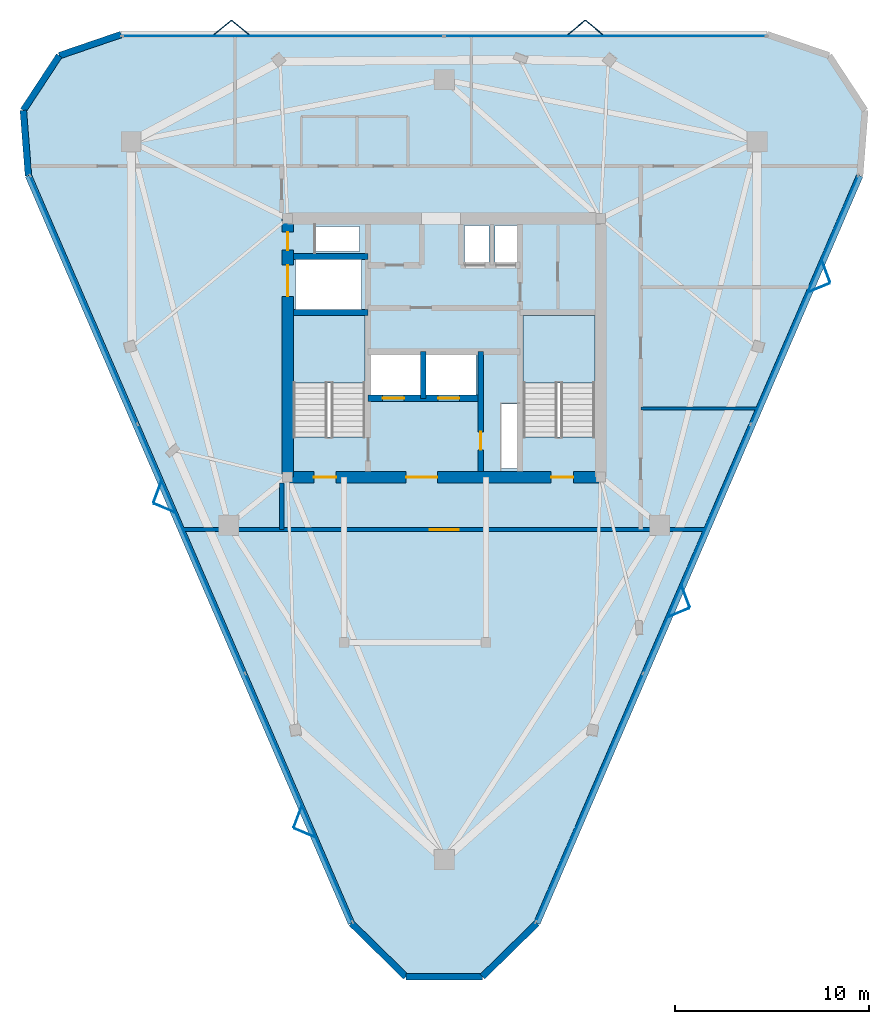
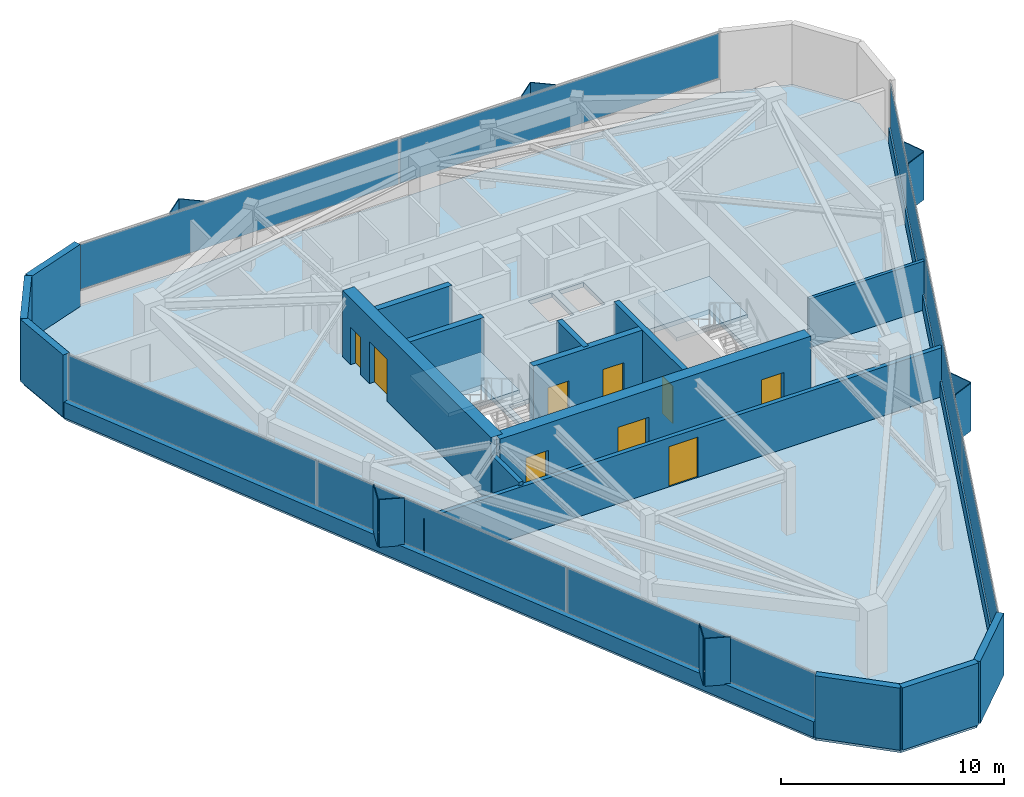
# One storey, part 7 of 10: 20 plates, 18 walls, 9 doors, 3 slabs, 9 openings, 5 elements without a shape of their own.
"""IFC4 building model written with IfcOpenShell, lengths in metres."""

from ifc_helpers import new_model, si_unit, direction, frame, frame_2d, origin, origin_2d, place, context, subcontext, project, spatial, polyline, rectangle, outline, extrude, material, layer, layer_set, type_object, element, fill, aggregate, save


model = new_model("IFC4")

# Units and contexts
model_context = context("Model", 3, precision=1e-05, world=origin(), true_north=direction((0.0, 1.0)))
body_context = subcontext(model_context, "Body", "Model", "MODEL_VIEW")
ifc_project = project(units=[si_unit("LENGTHUNIT", "METRE"), si_unit("AREAUNIT", "SQUARE_METRE"), si_unit("VOLUMEUNIT", "CUBIC_METRE"), si_unit("PLANEANGLEUNIT", "RADIAN"), si_unit("MASSUNIT", "GRAM", prefix="KILO")], contexts=[model_context])

# Site, building, storey
site_placement = place(None, origin())
site = spatial("IfcSite", under=ifc_project, at=site_placement, CompositionType="ELEMENT")
building_placement = place(site_placement, origin())
building = spatial("IfcBuilding", under=site, at=building_placement, Name="Talyreon Biosciences Tower", CompositionType="ELEMENT")
storey_placement = place(building_placement, frame((0.0, 0.0, 287.449951171875)))
storey = spatial("IfcBuildingStorey", under=building, at=storey_placement, Name="L76", CompositionType="ELEMENT", Elevation=287.449951171875)

# Curtain wall, plates
ifc_material_1 = material(Name="Thermally broken aluminium and low-E glazing", Category="aluminium")
ifc_layer_1 = layer(ifc_material_1, 0.175048828125)
ifc_layer_set_1 = layer_set([ifc_layer_1], Name="Thermally broken aluminium and low-E glazing")
curtain_wall_type = type_object("IfcCurtainWallType", Name="CurtainWall_Zone5CompLab", PredefinedType="NOTDEFINED", material=ifc_layer_set_1)
curtain_wall_1_placement = place(storey_placement, origin())
curtain_wall_1 = element("IfcCurtainWall", 1, at=curtain_wall_1_placement, inside=storey, type_object=curtain_wall_type, Name="L76 Unitised Curtain Wall FCW-L76-00", PredefinedType="NOTDEFINED")
ifc_material_2 = material(Name="Triple-silver low-E insulated glazing", Category="glass")
ifc_layer_2 = layer(ifc_material_2, 0.031982421875)
ifc_layer_set_2 = layer_set([ifc_layer_2], Name="Triple-silver low-E insulated glazing")
plate_type_1 = type_object("IfcPlateType", Name="CWGlazingPanel_32", PredefinedType="CURTAIN_PANEL", material=ifc_layer_set_2)
plate_1_placement = place(storey_placement, frame((58.525390625, 44.86083984375, 0.875), z_axis=(0.0, 0.0, 1.0), x_axis=(-0.396528446404, 0.918022435016, 0.0)))
plate_1 = element("IfcPlate", 2, at=plate_1_placement, type_object=plate_type_1, Name="CW6 panel 1.1", PredefinedType="CURTAIN_PANEL", context=body_context, shape_type="SweptSolid", body=[
    extrude(rectangle(XDim=13.863525390625, YDim=0.031982421875, at=origin_2d()), origin(), (0.0, 0.0, 1.0), 2.4599609375),
])
plate_2_placement = place(storey_placement, frame((52.995849609375, 57.662353515625, 0.875), z_axis=(0.0, 0.0, 1.0), x_axis=(-0.396528446404, 0.918022435016, 0.0)))
plate_2 = element("IfcPlate", 3, at=plate_2_placement, type_object=plate_type_1, Name="CW6 panel 2.1", PredefinedType="CURTAIN_PANEL", context=body_context, shape_type="SweptSolid", body=[
    extrude(rectangle(XDim=13.89599609375, YDim=0.031982421875, at=origin_2d()), origin(), (0.0, 0.0, 1.0), 2.4599609375),
])
plate_3_placement = place(storey_placement, frame((47.46630859375, 70.4638671875, 0.875), z_axis=(0.0, 0.0, 1.0), x_axis=(-0.396528446404, 0.918022435016, 0.0)))
plate_3 = element("IfcPlate", 4, at=plate_3_placement, type_object=plate_type_1, Name="CW6 panel 3.1", PredefinedType="CURTAIN_PANEL", context=body_context, shape_type="SweptSolid", body=[
    extrude(rectangle(XDim=13.863525390625, YDim=0.031982421875, at=origin_2d()), origin(), (0.0, 0.0, 1.0), 2.4599609375),
])
aggregate(curtain_wall_1, [plate_1, plate_2, plate_3])

curtain_wall_2_placement = place(storey_placement, origin())
curtain_wall_2 = element("IfcCurtainWall", 5, at=curtain_wall_2_placement, inside=storey, type_object=curtain_wall_type, Name="L76 Unitised Curtain Wall FCW-L76-04", PredefinedType="NOTDEFINED")
plate_4_placement = place(storey_placement, frame((57.71240234375, 84.037109375, 0.875), z_axis=(0.0, 0.0, 1.0), x_axis=(1.0, 0.0, 0.0)))
plate_4 = element("IfcPlate", 6, at=plate_4_placement, type_object=plate_type_1, Name="CW6 panel 1.1", PredefinedType="CURTAIN_PANEL", context=body_context, shape_type="SweptSolid", body=[
    extrude(rectangle(XDim=16.51025390625, YDim=0.031982421875, at=origin_2d()), origin(), (0.0, 0.0, 1.0), 2.4599609375),
])
plate_5_placement = place(storey_placement, frame((74.28759765625, 84.037109375, 0.875), z_axis=(0.0, 0.0, 1.0), x_axis=(1.0, 0.0, 0.0)))
plate_5 = element("IfcPlate", 7, at=plate_5_placement, type_object=plate_type_1, Name="CW6 panel 2.1", PredefinedType="CURTAIN_PANEL", context=body_context, shape_type="SweptSolid", body=[
    extrude(rectangle(XDim=16.51025390625, YDim=0.031982421875, at=origin_2d()), origin(), (0.0, 0.0, 1.0), 2.4599609375),
])
aggregate(curtain_wall_2, [plate_4, plate_5])

curtain_wall_3_placement = place(storey_placement, origin())
curtain_wall_3 = element("IfcCurtainWall", 8, at=curtain_wall_3_placement, inside=storey, type_object=curtain_wall_type, Name="L76 Unitised Curtain Wall FCW-L76-08", PredefinedType="NOTDEFINED")
plate_6_placement = place(storey_placement, frame((84.53369140625, 70.4638671875, 0.875), z_axis=(0.0, 0.0, 1.0), x_axis=(-0.396528446404, -0.918022435016, 0.0)))
plate_6 = element("IfcPlate", 9, at=plate_6_placement, type_object=plate_type_1, Name="CW6 panel 1.1", PredefinedType="CURTAIN_PANEL", context=body_context, shape_type="SweptSolid", body=[
    extrude(rectangle(XDim=13.863525390625, YDim=0.031982421875, at=origin_2d()), origin(), (0.0, 0.0, 1.0), 2.4599609375),
])
plate_7_placement = place(storey_placement, frame((79.004150390625, 57.662353515625, 0.875), z_axis=(0.0, 0.0, 1.0), x_axis=(-0.396528446404, -0.918022435016, 0.0)))
plate_7 = element("IfcPlate", 10, at=plate_7_placement, type_object=plate_type_1, Name="CW6 panel 2.1", PredefinedType="CURTAIN_PANEL", context=body_context, shape_type="SweptSolid", body=[
    extrude(rectangle(XDim=13.89599609375, YDim=0.031982421875, at=origin_2d()), origin(), (0.0, 0.0, 1.0), 2.4599609375),
])
plate_8_placement = place(storey_placement, frame((73.474609375, 44.86083984375, 0.875), z_axis=(0.0, 0.0, 1.0), x_axis=(-0.396528446404, -0.918022435016, 0.0)))
plate_8 = element("IfcPlate", 11, at=plate_8_placement, type_object=plate_type_1, Name="CW6 panel 3.1", PredefinedType="CURTAIN_PANEL", context=body_context, shape_type="SweptSolid", body=[
    extrude(rectangle(XDim=13.863525390625, YDim=0.031982421875, at=origin_2d()), origin(), (0.0, 0.0, 1.0), 2.4599609375),
])
aggregate(curtain_wall_3, [plate_6, plate_7, plate_8])

# Slab
ifc_material_3 = material(Name="Concrete C40/50", Category="concrete")
ifc_layer_3 = layer(ifc_material_3, 0.25)
ifc_layer_set_3 = layer_set([ifc_layer_3], Name="Concrete C40/50")
slab_type_1 = type_object("IfcSlabType", Name="DryLabFloorSlab_250", PredefinedType="FLOOR", material=ifc_layer_set_3)
slab_1_placement = place(storey_placement, frame((0.0, 0.0, -0.25)))
element("IfcSlab", 12, at=slab_1_placement, inside=storey, type_object=slab_type_1, Name="L76 Structural Floor Slab", PredefinedType="FLOOR", context=body_context, shape_type="SweptSolid", body=[
    extrude(outline(polyline([(61.226318359375, 38.406005859375), (44.61865234375, 76.855224609375), (44.356201171875, 80.212646484375), (46.2060546875, 83.02685546875), (49.392333984375, 84.1171875), (82.607666015625, 84.1171875), (85.7939453125, 83.02685546875), (87.643798828125, 80.212646484375), (87.38134765625, 76.855224609375), (70.773681640625, 38.406005859375), (67.9658203125, 35.65380859375), (64.0341796875, 35.65380859375), (61.226318359375, 38.406005859375)]), holes=[polyline([(69.820068359375, 65.10009765625), (69.820068359375, 61.800048828125), (68.9599609375, 61.800048828125), (68.9599609375, 65.10009765625), (69.820068359375, 65.10009765625)]), polyline([(61.929931640625, 69.64990234375), (61.929931640625, 63.407958984375), (58.25, 63.407958984375), (58.25, 69.64990234375), (61.929931640625, 69.64990234375)]), polyline([(73.75, 69.64990234375), (73.75, 63.407958984375), (70.070068359375, 63.407958984375), (70.070068359375, 69.64990234375), (73.75, 69.64990234375)]), polyline([(64.800048828125, 67.64990234375), (64.800048828125, 65.550048828125), (62.199951171875, 65.550048828125), (62.199951171875, 67.64990234375), (64.800048828125, 67.64990234375)]), polyline([(67.64990234375, 67.64990234375), (67.64990234375, 65.550048828125), (65.050048828125, 65.550048828125), (65.050048828125, 67.64990234375), (67.64990234375, 67.64990234375)]), polyline([(61.75, 72.550048828125), (61.75, 69.97998046875), (58.35009765625, 69.97998046875), (58.35009765625, 72.550048828125), (61.75, 72.550048828125)]), polyline([(68.300048828125, 74.300048828125), (68.300048828125, 72.35009765625), (67.050048828125, 72.35009765625), (67.050048828125, 74.300048828125), (68.300048828125, 74.300048828125)]), polyline([(69.919921875, 72.35009765625), (68.6201171875, 72.35009765625), (68.6201171875, 74.300048828125), (69.919921875, 74.300048828125), (69.919921875, 72.35009765625)]), polyline([(61.64990234375, 72.9599609375), (59.39990234375, 72.9599609375), (59.39990234375, 74.25), (61.64990234375, 74.25), (61.64990234375, 72.9599609375)])]), origin(), (0.0, 0.0, 1.0), 0.25),
])

# Plates
ifc_material_4 = material(Name="Ivory GFRC sunshade panel", Category="concrete")
ifc_layer_4 = layer(ifc_material_4, 0.044921875)
ifc_layer_set_4 = layer_set([ifc_layer_4], Name="Ivory GFRC sunshade panel")
plate_type_2 = type_object("IfcPlateType", Name="FoldedVSunshade_NorthFace_SUNSHADE", PredefinedType="USERDEFINED", material=ifc_layer_set_4)
for number, where, z_axis, x_axis, name in (
    (13, (54.6123046875, 84.477294921875, 0.7900390625), (0.0, 0.0, 1.0), (0.771624583388, 0.636078220278, 0.0), "L76 Folded V-Sunshade Panel 04.01L"),
    (14, (55.51220703125, 84.477294921875, 0.7900390625), (0.0, 0.0, 1.0), (0.771624583388, -0.636078220278, 0.0), "L76 Folded V-Sunshade Panel 04.01R"),
    (15, (72.812255859375, 84.477294921875, 0.7900390625), (0.0, 0.0, 1.0), (0.771624583388, 0.636078220278, 0.0), "L76 Folded V-Sunshade Panel 04.02L"),
    (16, (73.71240234375, 84.477294921875, 0.7900390625), (0.0, 0.0, 1.0), (0.771624583388, -0.636078220278, 0.0), "L76 Folded V-Sunshade Panel 04.02R"),
):
    element("IfcPlate", number, at=place(storey_placement, frame(where, z_axis=z_axis, x_axis=x_axis)), inside=storey, type_object=plate_type_2, Name=name, ObjectType="SUNSHADE", PredefinedType="USERDEFINED", context=body_context, shape_type="SweptSolid", body=[
        extrude(rectangle(XDim=1.14990234375, YDim=0.044921875, at=origin_2d()), origin(), (0.0, 0.0, 1.0), 2.610107421875),
    ])
ifc_layer_5 = layer(ifc_material_4, 0.044921875)
ifc_layer_set_5 = layer_set([ifc_layer_5], Name="Ivory GFRC sunshade panel")
plate_type_3 = type_object("IfcPlateType", Name="FoldedVSunshade_SunFace_SUNSHADE", PredefinedType="USERDEFINED", material=ifc_layer_set_5)
for number, where, z_axis, x_axis, name in (
    (17, (58.825927734375, 43.055419921875, 0.7900390625), (0.0, 0.0, 1.0), (-0.922948421732, 0.384923642846, 0.0), "L76 Folded V-Sunshade Panel 00.01L"),
    (18, (58.468994140625, 43.881591796875, 0.7900390625), (0.0, 0.0, 1.0), (0.352478722362, 0.935819827895, 0.0), "L76 Folded V-Sunshade Panel 00.01R"),
    (19, (51.609130859375, 59.76318359375, 0.7900390625), (0.0, 0.0, 1.0), (-0.922948421732, 0.384923642846, 0.0), "L76 Folded V-Sunshade Panel 00.02L"),
    (20, (51.252197265625, 60.589599609375, 0.7900390625), (0.0, 0.0, 1.0), (0.352478722362, 0.935819827895, 0.0), "L76 Folded V-Sunshade Panel 00.02R"),
    (21, (85.64208984375, 71.92041015625, 0.7900390625), (0.0, 0.0, 1.0), (0.352478722362, -0.935819827895, 0.0), "L76 Folded V-Sunshade Panel 08.01L"),
    (22, (85.28515625, 71.09423828125, 0.7900390625), (0.0, 0.0, 1.0), (-0.922948421732, -0.384923642846, 0.0), "L76 Folded V-Sunshade Panel 08.01R"),
    (23, (78.42529296875, 55.21240234375, 0.7900390625), (0.0, 0.0, 1.0), (0.352478722362, -0.935819827895, 0.0), "L76 Folded V-Sunshade Panel 08.02L"),
    (24, (78.068359375, 54.38623046875, 0.7900390625), (0.0, 0.0, 1.0), (-0.922948421732, -0.384923642846, 0.0), "L76 Folded V-Sunshade Panel 08.02R"),
):
    element("IfcPlate", number, at=place(storey_placement, frame(where, z_axis=z_axis, x_axis=x_axis)), inside=storey, type_object=plate_type_3, Name=name, ObjectType="SUNSHADE", PredefinedType="USERDEFINED", context=body_context, shape_type="SweptSolid", body=[
        extrude(rectangle(XDim=1.14990234375, YDim=0.044921875, at=origin_2d()), origin(), (0.0, 0.0, 1.0), 2.610107421875),
    ])

# Stair, slab
stair_type = type_object("IfcStairType", Name="DoglegEscapeStair_3650", PredefinedType="HALF_TURN_STAIR", material=ifc_material_3)
stair_1_placement = place(storey_placement, origin())
stair_1 = element("IfcStair", 25, at=stair_1_placement, inside=storey, type_object=stair_type, Name="L76 Core Escape Stair 1", PredefinedType="HALF_TURN_STAIR")
ifc_layer_6 = layer(ifc_material_3, 0.199951171875)
ifc_layer_set_6 = layer_set([ifc_layer_6], Name="Concrete C40/50")
slab_type_2 = type_object("IfcSlabType", Name="StairLandingSlab_200", PredefinedType="LANDING", material=ifc_layer_set_6)
slab_2_placement = place(storey_placement, frame((0.0, 0.0, 1.625)))
slab_2 = element("IfcSlab", 26, at=slab_2_placement, type_object=slab_type_2, Name="ST-1 landing 1", PredefinedType="LANDING", context=body_context, shape_type="SweptSolid", body=[
    extrude(outline(polyline([(61.929931640625, 66.199951171875), (61.929931640625, 69.64990234375), (58.25, 69.64990234375), (58.25, 66.199951171875), (61.929931640625, 66.199951171875)])), origin(), (0.0, 0.0, 1.0), 0.199951171875),
])
aggregate(stair_1, [slab_2])

stair_2_placement = place(storey_placement, origin())
stair_2 = element("IfcStair", 27, at=stair_2_placement, inside=storey, type_object=stair_type, Name="L76 Core Escape Stair 2", PredefinedType="HALF_TURN_STAIR")
slab_3_placement = place(storey_placement, frame((0.0, 0.0, 1.625)))
slab_3 = element("IfcSlab", 28, at=slab_3_placement, type_object=slab_type_2, Name="ST-2 landing 1", PredefinedType="LANDING", context=body_context, shape_type="SweptSolid", body=[
    extrude(outline(polyline([(73.75, 66.199951171875), (73.75, 69.64990234375), (70.070068359375, 69.64990234375), (70.070068359375, 66.199951171875), (73.75, 66.199951171875)])), origin(), (0.0, 0.0, 1.0), 0.199951171875),
])
aggregate(stair_2, [slab_3])

# Wall
ifc_material_5 = material(Name="Concrete C50/60", Category="concrete")
ifc_layer_7 = layer(ifc_material_5, 0.280029296875)
ifc_layer_set_7 = layer_set([ifc_layer_7], Name="Concrete C50/60")
wall_type_1 = type_object("IfcWallType", Name="CoreShearWall_280", PredefinedType="SHEAR", material=ifc_layer_set_7)
wall_1_placement = place(storey_placement, frame((64.919921875, 65.39990234375, 0.0), z_axis=(0.0, 0.0, 1.0), x_axis=(0.0, 1.0, 0.0)))
element("IfcWall", 29, at=wall_1_placement, inside=storey, type_object=wall_type_1, Name="L76 Core Shaft Wall SWSHD1", PredefinedType="SHEAR", context=body_context, shape_type="SweptSolid", body=[
    extrude(rectangle(XDim=2.400146484375, YDim=0.280029296875, at=frame_2d((1.2001953125, 0.0))), origin(), (0.0, 0.0, 1.0), 3.650146484375),
])

# Wall, opening, door
wall_2_placement = place(storey_placement, frame((67.8798828125, 61.64990234375, 0.0), z_axis=(0.0, 0.0, 1.0), x_axis=(0.0, 1.0, 0.0)))
wall_2 = element("IfcWall", 30, at=wall_2_placement, inside=storey, type_object=wall_type_1, Name="L76 Core Shaft Wall SWFFE", PredefinedType="SHEAR", context=body_context, shape_type="SweptSolid", body=[
    extrude(rectangle(XDim=6.150146484375, YDim=0.280029296875, at=frame_2d((3.0751953125, 0.0))), origin(), (0.0, 0.0, 1.0), 3.650146484375),
])
opening_1_placement = place(wall_2_placement, frame((1.10009765625, 0.0, 0.0)))
opening_1 = element("IfcOpeningElement", 31, at=opening_1_placement, cuts=wall_2, Name="Opening DR-L76-RSE", PredefinedType="OPENING", context=body_context, shape_type="SweptSolid", body=[
    extrude(rectangle(XDim=0.919921875, YDim=2.050048828125, at=frame_2d((0.4599609375, 1.02490234375))), frame((0.0, 0.14990234375, 0.0), z_axis=(0.0, -1.0, 0.0), x_axis=(1.0, 0.0, 0.0)), (0.0, 0.0, 1.0), 0.300048828125),
])
ifc_material_6 = material(Name="Painted steel fire-rated riser door", Category="steel")
door_type_1 = type_object("IfcDoorType", Name="RiserPlantAccessDoor_920x2050", OperationType="NOTDEFINED", PredefinedType="DOOR", material=ifc_material_6)
door_1_placement = place(opening_1_placement, origin())
door_1 = element("IfcDoor", 32, at=door_1_placement, inside=storey, type_object=door_type_1, Name="L76 Core Door DR-L76-RSE", OperationType="SINGLE_SWING_RIGHT", OverallHeight=2.050048828125, OverallWidth=0.919921875, PredefinedType="DOOR", context=body_context, shape_type="SweptSolid", body=[
    extrude(rectangle(XDim=0.919921875, YDim=2.050048828125, at=frame_2d((0.4599609375, 1.02490234375))), frame((0.0, 0.02490234375, 0.0), z_axis=(0.0, -1.0, 0.0), x_axis=(1.0, 0.0, 0.0)), (0.0, 0.0, 1.0), 0.050048828125),
])
fill(opening_1, door_1)

# Walls
ifc_layer_8 = layer(ifc_material_5, 0.320068359375)
ifc_layer_set_8 = layer_set([ifc_layer_8], Name="Concrete C50/60")
wall_type_2 = type_object("IfcWallType", Name="CoreShearWall_320", PredefinedType="SHEAR", material=ifc_layer_set_8)
for number, where, z_axis, x_axis, name in (
    (33, (58.25, 69.81005859375, 0.0), (0.0, 0.0, 1.0), (1.0, 0.0, 0.0), "L76 Core Shaft Wall SW1N"),
    (34, (58.25, 72.699951171875, 0.0), (0.0, 0.0, 1.0), (1.0, 0.0, 0.0), "L76 Core Shaft Wall SWGLN"),
):
    element("IfcWall", number, at=place(storey_placement, frame(where, z_axis=z_axis, x_axis=x_axis)), inside=storey, type_object=wall_type_2, Name=name, PredefinedType="SHEAR", context=body_context, shape_type="SweptSolid", body=[
        extrude(rectangle(XDim=3.840087890625, YDim=0.320068359375, at=frame_2d((1.919921875, 0.0))), origin(), (0.0, 0.0, 1.0), 3.650146484375),
    ])

# Wall, openings, doors
wall_3_placement = place(storey_placement, frame((62.090087890625, 65.39990234375, 0.0), z_axis=(0.0, 0.0, 1.0), x_axis=(1.0, 0.0, 0.0)))
wall_3 = element("IfcWall", 35, at=wall_3_placement, inside=storey, type_object=wall_type_2, Name="L76 Core Shaft Wall SWFFN", PredefinedType="SHEAR", context=body_context, shape_type="SweptSolid", body=[
    extrude(rectangle(XDim=5.789794921875, YDim=0.320068359375, at=frame_2d((2.89501953125, 0.0))), origin(), (0.0, 0.0, 1.0), 3.650146484375),
])
opening_2_placement = place(wall_3_placement, frame((0.75, 0.0, 0.0)))
opening_2 = element("IfcOpeningElement", 36, at=opening_2_placement, cuts=wall_3, Name="Opening LD-L76-FL1", PredefinedType="OPENING", context=body_context, shape_type="SweptSolid", body=[
    extrude(rectangle(XDim=1.10009765625, YDim=2.199951171875, at=frame_2d((0.550048828125, 1.10009765625))), frame((0.0, 0.169921875, 0.0), z_axis=(0.0, -1.0, 0.0), x_axis=(1.0, 0.0, 0.0)), (0.0, 0.0, 1.0), 0.340087890625),
])
opening_3_placement = place(wall_3_placement, frame((3.60009765625, 0.0, 0.0)))
opening_3 = element("IfcOpeningElement", 37, at=opening_3_placement, cuts=wall_3, Name="Opening LD-L76-FL2", PredefinedType="OPENING", context=body_context, shape_type="SweptSolid", body=[
    extrude(rectangle(XDim=1.10009765625, YDim=2.199951171875, at=frame_2d((0.550048828125, 1.10009765625))), frame((0.0, 0.169921875, 0.0), z_axis=(0.0, -1.0, 0.0), x_axis=(1.0, 0.0, 0.0)), (0.0, 0.0, 1.0), 0.340087890625),
])
ifc_material_7 = material(Name="Brushed stainless-steel lift landing door", Category="steel")
door_type_2 = type_object("IfcDoorType", Name="LiftSlidingLandingDoor_1100x2200", OperationType="SLIDING_TO_LEFT", PredefinedType="DOOR", material=ifc_material_7)
door_2_placement = place(opening_2_placement, origin())
door_2 = element("IfcDoor", 38, at=door_2_placement, inside=storey, type_object=door_type_2, Name="L76 Core Door LD-L76-FL1", OperationType="SLIDING_TO_LEFT", OverallHeight=2.199951171875, OverallWidth=1.10009765625, PredefinedType="DOOR", context=body_context, shape_type="SweptSolid", body=[
    extrude(rectangle(XDim=1.10009765625, YDim=2.199951171875, at=frame_2d((0.550048828125, 1.10009765625))), frame((0.0, 0.02490234375, 0.0), z_axis=(0.0, -1.0, 0.0), x_axis=(1.0, 0.0, 0.0)), (0.0, 0.0, 1.0), 0.050048828125),
])
fill(opening_2, door_2)
door_3_placement = place(opening_3_placement, origin())
door_3 = element("IfcDoor", 39, at=door_3_placement, inside=storey, type_object=door_type_2, Name="L76 Core Door LD-L76-FL2", OperationType="SLIDING_TO_LEFT", OverallHeight=2.199951171875, OverallWidth=1.10009765625, PredefinedType="DOOR", context=body_context, shape_type="SweptSolid", body=[
    extrude(rectangle(XDim=1.10009765625, YDim=2.199951171875, at=frame_2d((0.550048828125, 1.10009765625))), frame((0.0, 0.02490234375, 0.0), z_axis=(0.0, -1.0, 0.0), x_axis=(1.0, 0.0, 0.0)), (0.0, 0.0, 1.0), 0.050048828125),
])
fill(opening_3, door_3)

ifc_layer_9 = layer(ifc_material_5, 0.60009765625)
ifc_layer_set_9 = layer_set([ifc_layer_9], Name="Concrete C50/60")
wall_type_3 = type_object("IfcWallType", Name="CoreShearWall_600", PredefinedType="SHEAR", material=ifc_layer_set_9)
wall_4_placement = place(storey_placement, frame((57.949951171875, 61.35009765625, 0.0), z_axis=(0.0, 0.0, 1.0), x_axis=(1.0, 0.0, 0.0)))
wall_4 = element("IfcWall", 40, at=wall_4_placement, inside=storey, type_object=wall_type_3, Name="L76 Core Shear Wall S", PredefinedType="SHEAR", context=body_context, shape_type="SweptSolid", body=[
    extrude(rectangle(XDim=16.10009765625, YDim=0.60009765625, at=frame_2d((8.050048828125, 0.0))), origin(), (0.0, 0.0, 1.0), 3.650146484375),
])
opening_4_placement = place(wall_4_placement, frame((1.35009765625, 0.0, 0.0)))
opening_4 = element("IfcOpeningElement", 41, at=opening_4_placement, cuts=wall_4, Name="Opening DR-L76-ST1", PredefinedType="OPENING", context=body_context, shape_type="SweptSolid", body=[
    extrude(rectangle(XDim=1.14990234375, YDim=2.14990234375, at=frame_2d((0.574951171875, 1.074951171875))), frame((0.0, 0.31005859375, 0.0), z_axis=(0.0, -1.0, 0.0), x_axis=(1.0, 0.0, 0.0)), (0.0, 0.0, 1.0), 0.6201171875),
])
opening_5_placement = place(wall_4_placement, frame((6.10009765625, 0.0, 0.0)))
opening_5 = element("IfcOpeningElement", 42, at=opening_5_placement, cuts=wall_4, Name="Opening DR-L76-FFL", PredefinedType="OPENING", context=body_context, shape_type="SweptSolid", body=[
    extrude(rectangle(XDim=1.60009765625, YDim=2.14990234375, at=frame_2d((0.800048828125, 1.074951171875))), frame((0.0, 0.31005859375, 0.0), z_axis=(0.0, -1.0, 0.0), x_axis=(1.0, 0.0, 0.0)), (0.0, 0.0, 1.0), 0.6201171875),
])
opening_6_placement = place(wall_4_placement, frame((13.550048828125, 0.0, 0.0)))
opening_6 = element("IfcOpeningElement", 43, at=opening_6_placement, cuts=wall_4, Name="Opening DR-L76-ST2", PredefinedType="OPENING", context=body_context, shape_type="SweptSolid", body=[
    extrude(rectangle(XDim=1.14990234375, YDim=2.14990234375, at=frame_2d((0.574951171875, 1.074951171875))), frame((0.0, 0.31005859375, 0.0), z_axis=(0.0, -1.0, 0.0), x_axis=(1.0, 0.0, 0.0)), (0.0, 0.0, 1.0), 0.6201171875),
])
ifc_material_8 = material(Name="Painted steel smoke-seal fire door", Category="steel")
door_type_3 = type_object("IfcDoorType", Name="FirefightingLobbyDoubleDoor_1600x2150", OperationType="DOUBLE_DOOR_SINGLE_SWING", PredefinedType="DOOR", material=ifc_material_8)
door_4_placement = place(opening_5_placement, origin())
door_4 = element("IfcDoor", 44, at=door_4_placement, inside=storey, type_object=door_type_3, Name="L76 Core Door DR-L76-FFL", OperationType="DOUBLE_DOOR_SINGLE_SWING", OverallHeight=2.14990234375, OverallWidth=1.60009765625, PredefinedType="DOOR", context=body_context, shape_type="SweptSolid", body=[
    extrude(rectangle(XDim=1.60009765625, YDim=2.14990234375, at=frame_2d((0.800048828125, 1.074951171875))), frame((0.0, 0.02490234375, 0.0), z_axis=(0.0, -1.0, 0.0), x_axis=(1.0, 0.0, 0.0)), (0.0, 0.0, 1.0), 0.050048828125),
])
fill(opening_5, door_4)
ifc_material_9 = material(Name="Painted steel fire door", Category="steel")
door_type_4 = type_object("IfcDoorType", Name="StairShaftFireDoor_1150x2150", OperationType="NOTDEFINED", PredefinedType="DOOR", material=ifc_material_9)
door_5_placement = place(opening_4_placement, origin())
door_5 = element("IfcDoor", 45, at=door_5_placement, inside=storey, type_object=door_type_4, Name="L76 Core Door DR-L76-ST1", OperationType="SINGLE_SWING_LEFT", OverallHeight=2.14990234375, OverallWidth=1.14990234375, PredefinedType="DOOR", context=body_context, shape_type="SweptSolid", body=[
    extrude(rectangle(XDim=1.14990234375, YDim=2.14990234375, at=frame_2d((0.574951171875, 1.074951171875))), frame((0.0, 0.02490234375, 0.0), z_axis=(0.0, -1.0, 0.0), x_axis=(1.0, 0.0, 0.0)), (0.0, 0.0, 1.0), 0.050048828125),
])
fill(opening_4, door_5)
door_6_placement = place(opening_6_placement, origin())
door_6 = element("IfcDoor", 46, at=door_6_placement, inside=storey, type_object=door_type_4, Name="L76 Core Door DR-L76-ST2", OperationType="SINGLE_SWING_RIGHT", OverallHeight=2.14990234375, OverallWidth=1.14990234375, PredefinedType="DOOR", context=body_context, shape_type="SweptSolid", body=[
    extrude(rectangle(XDim=1.14990234375, YDim=2.14990234375, at=frame_2d((0.574951171875, 1.074951171875))), frame((0.0, 0.02490234375, 0.0), z_axis=(0.0, -1.0, 0.0), x_axis=(1.0, 0.0, 0.0)), (0.0, 0.0, 1.0), 0.050048828125),
])
fill(opening_6, door_6)

wall_5_placement = place(storey_placement, frame((57.949951171875, 74.64990234375, 0.0), z_axis=(0.0, 0.0, 1.0), x_axis=(0.0, -1.0, 0.0)))
wall_5 = element("IfcWall", 47, at=wall_5_placement, inside=storey, type_object=wall_type_3, Name="L76 Core Shear Wall W", PredefinedType="SHEAR", context=body_context, shape_type="SweptSolid", body=[
    extrude(rectangle(XDim=13.2998046875, YDim=0.60009765625, at=frame_2d((6.64990234375, 0.0))), origin(), (0.0, 0.0, 1.0), 3.650146484375),
])
opening_7_placement = place(wall_5_placement, frame((0.699951171875, 0.0, 0.0)))
opening_7 = element("IfcOpeningElement", 48, at=opening_7_placement, cuts=wall_5, Name="Opening DR-L76-RSW", PredefinedType="OPENING", context=body_context, shape_type="SweptSolid", body=[
    extrude(rectangle(XDim=0.919921875, YDim=2.050048828125, at=frame_2d((0.4599609375, 1.02490234375))), frame((0.0, 0.31005859375, 0.0), z_axis=(0.0, -1.0, 0.0), x_axis=(1.0, 0.0, 0.0)), (0.0, 0.0, 1.0), 0.6201171875),
])
opening_8_placement = place(wall_5_placement, frame((2.39990234375, 0.0, 0.0)))
opening_8 = element("IfcOpeningElement", 49, at=opening_8_placement, cuts=wall_5, Name="Opening LD-L76-GL1", PredefinedType="OPENING", context=body_context, shape_type="SweptSolid", body=[
    extrude(rectangle(XDim=1.60009765625, YDim=2.300048828125, at=frame_2d((0.800048828125, 1.14990234375))), frame((0.0, 0.31005859375, 0.0), z_axis=(0.0, -1.0, 0.0), x_axis=(1.0, 0.0, 0.0)), (0.0, 0.0, 1.0), 0.6201171875),
])
ifc_material_10 = material(Name="Heavy-duty stainless-steel goods lift door", Category="steel")
door_type_5 = type_object("IfcDoorType", Name="GoodsLiftSlidingDoor_1600x2300", OperationType="DOUBLE_DOOR_SLIDING", PredefinedType="DOOR", material=ifc_material_10)
door_7_placement = place(opening_8_placement, origin())
door_7 = element("IfcDoor", 50, at=door_7_placement, inside=storey, type_object=door_type_5, Name="L76 Core Door LD-L76-GL1", OperationType="DOUBLE_DOOR_SLIDING", OverallHeight=2.300048828125, OverallWidth=1.60009765625, PredefinedType="DOOR", context=body_context, shape_type="SweptSolid", body=[
    extrude(rectangle(XDim=1.60009765625, YDim=2.300048828125, at=frame_2d((0.800048828125, 1.14990234375))), frame((0.0, 0.02490234375, 0.0), z_axis=(0.0, -1.0, 0.0), x_axis=(1.0, 0.0, 0.0)), (0.0, 0.0, 1.0), 0.050048828125),
])
fill(opening_8, door_7)
door_8_placement = place(opening_7_placement, origin())
door_8 = element("IfcDoor", 51, at=door_8_placement, inside=storey, type_object=door_type_1, Name="L76 Core Door DR-L76-RSW", OperationType="SINGLE_SWING_LEFT", OverallHeight=2.050048828125, OverallWidth=0.919921875, PredefinedType="DOOR", context=body_context, shape_type="SweptSolid", body=[
    extrude(rectangle(XDim=0.919921875, YDim=2.050048828125, at=frame_2d((0.4599609375, 1.02490234375))), frame((0.0, 0.02490234375, 0.0), z_axis=(0.0, -1.0, 0.0), x_axis=(1.0, 0.0, 0.0)), (0.0, 0.0, 1.0), 0.050048828125),
])
fill(opening_7, door_8)

# Wall, opening, door
ifc_material_11 = material(Name="Gypsum fireboard acoustic stud", Category="gypsum")
ifc_layer_10 = layer(ifc_material_11, 0.219970703125)
ifc_layer_set_10 = layer_set([ifc_layer_10], Name="Gypsum fireboard acoustic stud")
wall_type_4 = type_object("IfcWallType", Name="CorridorRatedPartition_220", PredefinedType="PARTITIONING", material=ifc_layer_set_10)
wall_6_placement = place(storey_placement, frame((52.57470703125, 58.64990234375, 0.0), z_axis=(0.0, 0.0, 1.0), x_axis=(1.0, 0.0, 0.0)))
wall_6 = element("IfcWall", 52, at=wall_6_placement, inside=storey, type_object=wall_type_4, Name="L76 Interior Wall IW-L76-COR-S", PredefinedType="PARTITIONING", context=body_context, shape_type="SweptSolid", body=[
    extrude(rectangle(XDim=26.8505859375, YDim=0.219970703125, at=frame_2d((13.42529296875, 0.0))), origin(), (0.0, 0.0, 1.0), 2.679931640625),
])
opening_9_placement = place(wall_6_placement, frame((12.675048828125, 0.0, 0.0)))
opening_9 = element("IfcOpeningElement", 53, at=opening_9_placement, cuts=wall_6, Name="Opening DR-L76-S1A", PredefinedType="OPENING", context=body_context, shape_type="SweptSolid", body=[
    extrude(rectangle(XDim=1.5, YDim=2.199951171875, at=frame_2d((0.75, 1.10009765625))), frame((0.0, 0.119873046875, 0.0), z_axis=(0.0, -1.0, 0.0), x_axis=(1.0, 0.0, 0.0)), (0.0, 0.0, 1.0), 0.239990234375),
])
ifc_material_12 = material(Name="Vision-panel steel laboratory fire door", Category="steel")
door_type_6 = type_object("IfcDoorType", Name="WetLabDoubleLeafDoor_1500x2200", OperationType="DOUBLE_DOOR_SINGLE_SWING", PredefinedType="DOOR", material=ifc_material_12)
door_9_placement = place(opening_9_placement, origin())
door_9 = element("IfcDoor", 54, at=door_9_placement, inside=storey, type_object=door_type_6, Name="L76 Interior Door DR-L76-S1A", OperationType="DOUBLE_DOOR_SINGLE_SWING", OverallHeight=2.199951171875, OverallWidth=1.5, PredefinedType="DOOR", context=body_context, shape_type="SweptSolid", body=[
    extrude(rectangle(XDim=1.5, YDim=2.199951171875, at=frame_2d((0.75, 1.10009765625))), frame((0.0, 0.02490234375, 0.0), z_axis=(0.0, -1.0, 0.0), x_axis=(1.0, 0.0, 0.0)), (0.0, 0.0, 1.0), 0.050048828125),
])
fill(opening_9, door_9)

# Walls
wall_7_placement = place(storey_placement, frame((57.64990234375, 58.64990234375, 0.0), z_axis=(0.0, 0.0, 1.0), x_axis=(0.0, 1.0, 0.0)))
element("IfcWall", 55, at=wall_7_placement, inside=storey, type_object=wall_type_4, Name="L76 Interior Wall IW-L76-WCAP-S", PredefinedType="PARTITIONING", context=body_context, shape_type="SweptSolid", body=[
    extrude(rectangle(XDim=2.400146484375, YDim=0.219970703125, at=frame_2d((1.2001953125, 0.0))), origin(), (0.0, 0.0, 1.0), 2.880126953125),
])
ifc_material_13 = material(Name="Gypsum acoustic stud partition", Category="gypsum")
ifc_layer_11 = layer(ifc_material_13, 0.159912109375)
ifc_layer_set_11 = layer_set([ifc_layer_11], Name="Gypsum acoustic stud partition")
wall_type_5 = type_object("IfcWallType", Name="LabSeparationPartition_160", PredefinedType="PARTITIONING", material=ifc_layer_set_11)
wall_8_placement = place(storey_placement, frame((76.1201171875, 64.883056640625, 0.0), z_axis=(0.0, 0.0, 1.0), x_axis=(1.0, 0.0, 0.0)))
element("IfcWall", 56, at=wall_8_placement, inside=storey, type_object=wall_type_5, Name="L76 Interior Wall IW-L76-EDIV1", PredefinedType="PARTITIONING", context=body_context, shape_type="SweptSolid", body=[
    extrude(rectangle(XDim=5.997314453125, YDim=0.159912109375, at=frame_2d((2.99853515625, 0.0))), origin(), (0.0, 0.0, 1.0), 2.679931640625),
])
ifc_material_14 = material(Name="Precast concrete C45/55", Category="concrete")
ifc_layer_12 = layer(ifc_material_14, 0.340087890625)
ifc_layer_set_12 = layer_set([ifc_layer_12], Name="Precast concrete C45/55")
wall_type_6 = type_object("IfcWallType", Name="PrecastConcreteSpandrelWall_340", PredefinedType="STANDARD", material=ifc_layer_set_12)
wall_9_placement = place(storey_placement, frame((61.226318359375, 38.406005859375, 0.0), z_axis=(0.0, 0.0, 1.0), x_axis=(-0.396528468744, 0.918022425366, 0.0)))
element("IfcWall", 57, at=wall_9_placement, inside=storey, type_object=wall_type_6, Name="L76 Expressed Concrete Sill Wall 00", PredefinedType="STANDARD", context=body_context, shape_type="SweptSolid", body=[
    extrude(rectangle(XDim=41.882568359375, YDim=0.340087890625, at=frame_2d((20.94140625, 0.0))), origin(), (0.0, 0.0, 1.0), 0.85009765625),
])
for number, where, z_axis, x_axis, name in (
    (58, (44.61865234375, 76.855224609375, 0.0), (0.0, 0.0, 1.0), (-0.077932702053, 0.996958621985, 0.0), "L76 Rounded-Corner Concrete Pier 01"),
    (59, (44.356201171875, 80.212646484375, 0.0), (0.0, 0.0, 1.0), (0.549284928187, 0.835635128311, 0.0), "L76 Rounded-Corner Concrete Pier 02"),
    (60, (46.2060546875, 83.02685546875, 0.0), (0.0, 0.0, 1.0), (0.946137689322, 0.323764533025, 0.0), "L76 Rounded-Corner Concrete Pier 03"),
):
    element("IfcWall", number, at=place(storey_placement, frame(where, z_axis=z_axis, x_axis=x_axis)), inside=storey, type_object=wall_type_6, Name=name, PredefinedType="STANDARD", context=body_context, shape_type="SweptSolid", body=[
        extrude(rectangle(XDim=3.36767578125, YDim=0.340087890625, at=frame_2d((1.683837890625, 0.0))), origin(), (0.0, 0.0, 1.0), 3.400146484375),
    ])
wall_10_placement = place(storey_placement, frame((87.38134765625, 76.855224609375, 0.0), z_axis=(0.0, 0.0, 1.0), x_axis=(-0.396528468744, -0.918022425366, 0.0)))
element("IfcWall", 61, at=wall_10_placement, inside=storey, type_object=wall_type_6, Name="L76 Expressed Concrete Sill Wall 08", PredefinedType="STANDARD", context=body_context, shape_type="SweptSolid", body=[
    extrude(rectangle(XDim=41.882568359375, YDim=0.340087890625, at=frame_2d((20.94140625, 0.0))), origin(), (0.0, 0.0, 1.0), 0.85009765625),
])
for number, where, z_axis, x_axis, name in (
    (62, (70.773681640625, 38.406005859375, 0.0), (0.0, 0.0, 1.0), (-0.714150133515, -0.699992561961, 0.0), "L76 Rounded-Corner Concrete Pier 09"),
    (63, (67.9658203125, 35.65380859375, 0.0), (0.0, 0.0, 1.0), (-1.0, 0.0, 0.0), "L76 Rounded-Corner Concrete Pier 10"),
    (64, (64.0341796875, 35.65380859375, 0.0), (0.0, 0.0, 1.0), (-0.714150133515, 0.699992561961, 0.0), "L76 Rounded-Corner Concrete Pier 11"),
):
    element("IfcWall", number, at=place(storey_placement, frame(where, z_axis=z_axis, x_axis=x_axis)), inside=storey, type_object=wall_type_6, Name=name, PredefinedType="STANDARD", context=body_context, shape_type="SweptSolid", body=[
        extrude(rectangle(XDim=3.931640625, YDim=0.340087890625, at=frame_2d((1.9658203125, 0.0))), origin(), (0.0, 0.0, 1.0), 3.400146484375),
    ])

save(model, "model.ifc")
